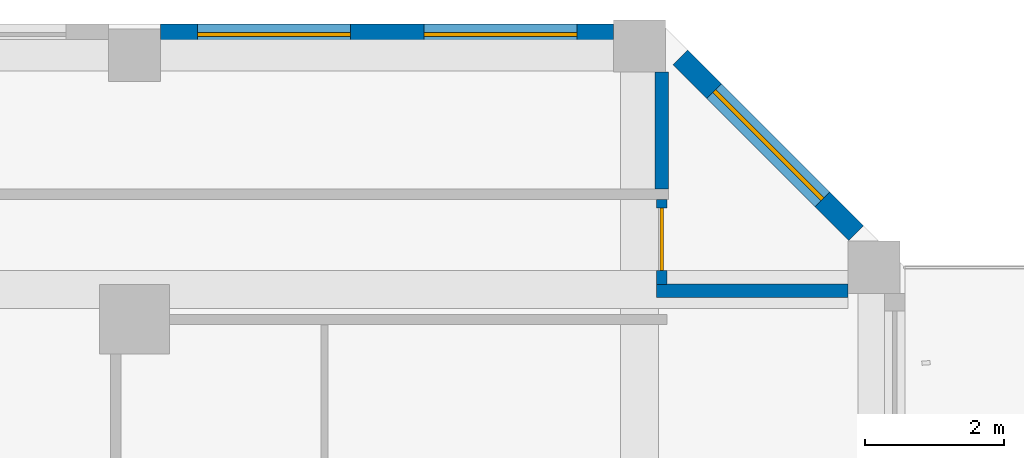
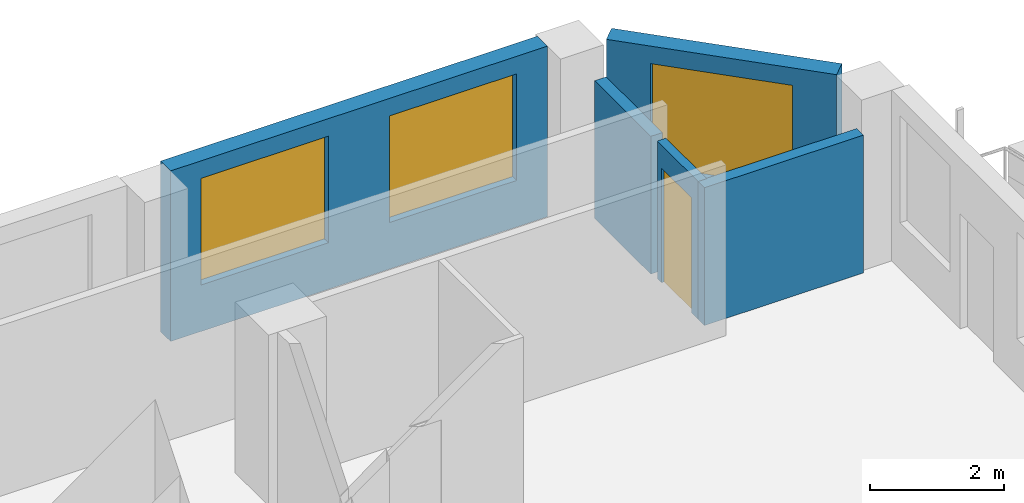
# One storey, part 10 of 22: 5 walls, 3 windows, 1 door, 4 openings.
"""IFC4 building model written with IfcOpenShell, lengths in metres."""

from ifc_helpers import new_model, si_unit, direction, frame, frame_2d, origin, place, context, subcontext, project, spatial, rectangle, extrude, source, transform, mapped, material, layer, layer_set, type_object, element, fill, save


model = new_model("IFC4")

# Units and contexts
model_context = context("Model", 3, precision=1e-05, world=origin(), true_north=direction((0.0, 1.0)))
body_context = subcontext(model_context, "Body", "Model", "MODEL_VIEW")
ifc_project = project(units=[si_unit("LENGTHUNIT", "METRE"), si_unit("AREAUNIT", "SQUARE_METRE"), si_unit("VOLUMEUNIT", "CUBIC_METRE"), si_unit("PLANEANGLEUNIT", "RADIAN"), si_unit("MASSUNIT", "GRAM", prefix="KILO")], contexts=[model_context])

# Site, building, storey
site_placement = place(None, origin())
site = spatial("IfcSite", under=ifc_project, at=site_placement, CompositionType="ELEMENT")
building_placement = place(site_placement, origin())
building = spatial("IfcBuilding", under=site, at=building_placement, Name="Kilnfold Tower and Market Hall", CompositionType="ELEMENT")
storey_placement = place(building_placement, frame((0.0, 0.0, 213.5)))
storey = spatial("IfcBuildingStorey", under=building, at=storey_placement, Name="L52", CompositionType="ELEMENT", Elevation=213.5)

# Wall, opening, door
ifc_material_1 = material(Name="Gypsum board on steel studs", Category="steel")
ifc_layer_1 = layer(ifc_material_1, 0.14990234375)
ifc_layer_set_1 = layer_set([ifc_layer_1], Name="Gypsum board on steel studs")
wall_type_1 = type_object("IfcWallType", Name="WALL CORRIDOR 150", PredefinedType="PARTITIONING", material=ifc_layer_set_1)
wall_1_placement = place(storey_placement, frame((27.75, 22.5029296875, 0.0), z_axis=(0.0, 0.0, 1.0), x_axis=(0.0, 1.0, 0.0)))
wall_1 = element("IfcWall", 1, at=wall_1_placement, inside=storey, type_object=wall_type_1, Name="Partition LY31.24", PredefinedType="PARTITIONING", context=body_context, shape_type="SweptSolid", body=[
    extrude(rectangle(XDim=1.22216796875, YDim=0.14990234375, at=frame_2d((0.611083984375, 0.0))), origin(), (0.0, 0.0, 1.0), 2.52001953125),
])
opening_1_placement = place(wall_1_placement, frame((0.201904296875, 0.0, 0.0)))
opening_1 = element("IfcOpeningElement", 2, at=opening_1_placement, cuts=wall_1, Name="Opening D2", PredefinedType="OPENING", context=body_context, shape_type="SweptSolid", body=[
    extrude(rectangle(XDim=0.89990234375, YDim=2.10009765625, at=frame_2d((0.449951171875, 1.050048828125))), frame((0.0, 0.0849609375, 0.0), z_axis=(0.0, -1.0, 0.0), x_axis=(1.0, 0.0, 0.0)), (0.0, 0.0, 1.0), 0.169921875),
])
ifc_material_2 = material(Name="Timber veneer door leaf in steel frame", Category="steel")
door_type = type_object("IfcDoorType", Name="DOOR ROOM 900 X2100", OperationType="NOTDEFINED", PredefinedType="DOOR", material=ifc_material_2)
door_placement = place(opening_1_placement, origin())
door = element("IfcDoor", 3, at=door_placement, inside=storey, type_object=door_type, Name="Door D2", OperationType="SINGLE_SWING_RIGHT", OverallHeight=2.10009765625, OverallWidth=0.89990234375, PredefinedType="DOOR", context=body_context, shape_type="SweptSolid", body=[
    extrude(rectangle(XDim=0.89990234375, YDim=2.10009765625, at=frame_2d((0.449951171875, 1.050048828125))), frame((0.0, 0.02490234375, 0.0), z_axis=(0.0, -1.0, 0.0), x_axis=(1.0, 0.0, 0.0)), (0.0, 0.0, 1.0), 0.050048828125),
])
fill(opening_1, door)

# Walls
ifc_material_3 = material(Name="Gypsum board on steel studs", Category="steel")
ifc_layer_2 = layer(ifc_material_3, 0.199951171875)
ifc_layer_set_2 = layer_set([ifc_layer_2], Name="Gypsum board on steel studs")
wall_type_2 = type_object("IfcWallType", Name="WALL PARTY 200", PredefinedType="PARTITIONING", material=ifc_layer_set_2)
wall_2_placement = place(storey_placement, frame((30.425048828125, 22.4130859375, 0.0), z_axis=(0.0, 0.0, 1.0), x_axis=(-1.0, 0.0, 0.0)))
element("IfcWall", 4, at=wall_2_placement, inside=storey, type_object=wall_type_2, Name="Partition LY31.91", PredefinedType="PARTITIONING", context=body_context, shape_type="SweptSolid", body=[
    extrude(rectangle(XDim=2.748046875, YDim=0.199951171875, at=frame_2d((1.3740234375, 0.0))), origin(), (0.0, 0.0, 1.0), 2.52001953125),
])
wall_3_placement = place(storey_placement, frame((27.75, 25.556884765625, 0.0), z_axis=(0.0, 0.0, 1.0), x_axis=(0.0, -1.0, 0.0)))
element("IfcWall", 5, at=wall_3_placement, inside=storey, type_object=wall_type_2, Name="Partition LY31.92", PredefinedType="PARTITIONING", context=body_context, shape_type="SweptSolid", body=[
    extrude(rectangle(XDim=1.679931640625, YDim=0.199951171875, at=frame_2d((0.83984375, 0.0))), origin(), (0.0, 0.0, 1.0), 2.52001953125),
])

# Wall, opening, window
ifc_material_4 = material(Name="Precast concrete C50/60", Category="concrete")
ifc_layer_3 = layer(ifc_material_4, 0.300048828125)
ifc_layer_set_3 = layer_set([ifc_layer_3], Name="Precast concrete C50/60")
wall_type_3 = type_object("IfcWallType", Name="PRECAST WALL 300", PredefinedType="SOLIDWALL", material=ifc_layer_set_3)
shared_shape_1 = source(origin(), body_context, "Body", "SweptSolid", [
    extrude(rectangle(XDim=3.571044921875, YDim=0.300048828125, at=frame_2d((1.78564453125, 0.0))), origin(), (0.0, 0.0, 1.0), 3.1201171875),
])
wall_4_placement = place(storey_placement, frame((30.5439453125, 23.243896484375, 0.0), z_axis=(0.0, 0.0, 1.0), x_axis=(-0.707140964879, 0.707072595841, 0.0)))
wall_4 = element("IfcWall", 6, at=wall_4_placement, inside=storey, type_object=wall_type_3, Name="External wall L52 NE", PredefinedType="SOLIDWALL", context=body_context, shape_type="MappedRepresentation", body=[
    mapped(shared_shape_1, transform((0.0, 0.0, 0.0))),
])
opening_2_placement = place(wall_4_placement, frame((0.685546875, 0.0, 0.85009765625)))
opening_2 = element("IfcOpeningElement", 7, at=opening_2_placement, cuts=wall_4, Name="Opening W2", PredefinedType="OPENING", context=body_context, shape_type="SweptSolid", body=[
    extrude(rectangle(XDim=2.199951171875, YDim=1.949951171875, at=frame_2d((1.10009765625, 0.97509765625))), frame((0.0, 0.16015625, 0.0), z_axis=(0.0, -1.0, 0.0), x_axis=(1.0, 0.0, 0.0)), (0.0, 0.0, 1.0), 0.320068359375),
])
ifc_material_5 = material(Name="Aluminium frame and double glazing", Category="aluminium")
window_type = type_object("IfcWindowType", Name="WINDOW W2 2200X1950", PartitioningType="SINGLE_PANEL", PredefinedType="WINDOW", material=ifc_material_5)
window_1_placement = place(opening_2_placement, origin())
window_1 = element("IfcWindow", 8, at=window_1_placement, inside=storey, type_object=window_type, Name="Window W2 L52 NE-1", OverallHeight=1.949951171875, OverallWidth=2.199951171875, PartitioningType="SINGLE_PANEL", PredefinedType="WINDOW", context=body_context, shape_type="SweptSolid", body=[
    extrude(rectangle(XDim=2.199951171875, YDim=1.949951171875, at=frame_2d((1.10009765625, 0.97509765625))), frame((0.0, 0.030029296875, 0.0), z_axis=(0.0, -1.0, 0.0), x_axis=(1.0, 0.0, 0.0)), (0.0, 0.0, 1.0), 0.06005859375),
])
fill(opening_2, window_1)

# Wall, openings, windows
shared_shape_2 = source(origin(), body_context, "Body", "SweptSolid", [
    extrude(rectangle(XDim=6.51513671875, YDim=0.300048828125, at=frame_2d((3.257568359375, 0.0))), origin(), (0.0, 0.0, 1.0), 3.1201171875),
])
wall_5_placement = place(storey_placement, frame((27.056884765625, 26.10009765625, 0.0), z_axis=(0.0, 0.0, 1.0), x_axis=(-1.0, 0.0, 0.0)))
wall_5 = element("IfcWall", 9, at=wall_5_placement, inside=storey, type_object=wall_type_3, Name="External wall L52 N", PredefinedType="SOLIDWALL", context=body_context, shape_type="MappedRepresentation", body=[
    mapped(shared_shape_2, transform((0.0, 0.0, 0.0))),
])
opening_3_placement = place(wall_5_placement, frame((0.52880859375, 0.0, 0.85009765625)))
opening_3 = element("IfcOpeningElement", 10, at=opening_3_placement, cuts=wall_5, Name="Opening W2", PredefinedType="OPENING", context=body_context, shape_type="SweptSolid", body=[
    extrude(rectangle(XDim=2.199951171875, YDim=1.949951171875, at=frame_2d((1.10009765625, 0.97509765625))), frame((0.0, 0.16015625, 0.0), z_axis=(0.0, -1.0, 0.0), x_axis=(1.0, 0.0, 0.0)), (0.0, 0.0, 1.0), 0.320068359375),
])
opening_4_placement = place(wall_5_placement, frame((3.786376953125, 0.0, 0.85009765625)))
opening_4 = element("IfcOpeningElement", 11, at=opening_4_placement, cuts=wall_5, Name="Opening W2", PredefinedType="OPENING", context=body_context, shape_type="SweptSolid", body=[
    extrude(rectangle(XDim=2.199951171875, YDim=1.949951171875, at=frame_2d((1.10009765625, 0.97509765625))), frame((0.0, 0.16015625, 0.0), z_axis=(0.0, -1.0, 0.0), x_axis=(1.0, 0.0, 0.0)), (0.0, 0.0, 1.0), 0.320068359375),
])
window_2_placement = place(opening_3_placement, origin())
window_2 = element("IfcWindow", 12, at=window_2_placement, inside=storey, type_object=window_type, Name="Window W2 L52 N-1", OverallHeight=1.949951171875, OverallWidth=2.199951171875, PartitioningType="SINGLE_PANEL", PredefinedType="WINDOW", context=body_context, shape_type="SweptSolid", body=[
    extrude(rectangle(XDim=2.199951171875, YDim=1.949951171875, at=frame_2d((1.10009765625, 0.97509765625))), frame((0.0, 0.030029296875, 0.0), z_axis=(0.0, -1.0, 0.0), x_axis=(1.0, 0.0, 0.0)), (0.0, 0.0, 1.0), 0.06005859375),
])
fill(opening_3, window_2)
window_3_placement = place(opening_4_placement, origin())
window_3 = element("IfcWindow", 13, at=window_3_placement, inside=storey, type_object=window_type, Name="Window W2 L52 N-2", OverallHeight=1.949951171875, OverallWidth=2.199951171875, PartitioningType="SINGLE_PANEL", PredefinedType="WINDOW", context=body_context, shape_type="SweptSolid", body=[
    extrude(rectangle(XDim=2.199951171875, YDim=1.949951171875, at=frame_2d((1.10009765625, 0.97509765625))), frame((0.0, 0.030029296875, 0.0), z_axis=(0.0, -1.0, 0.0), x_axis=(1.0, 0.0, 0.0)), (0.0, 0.0, 1.0), 0.06005859375),
])
fill(opening_4, window_3)

save(model, "model.ifc")
